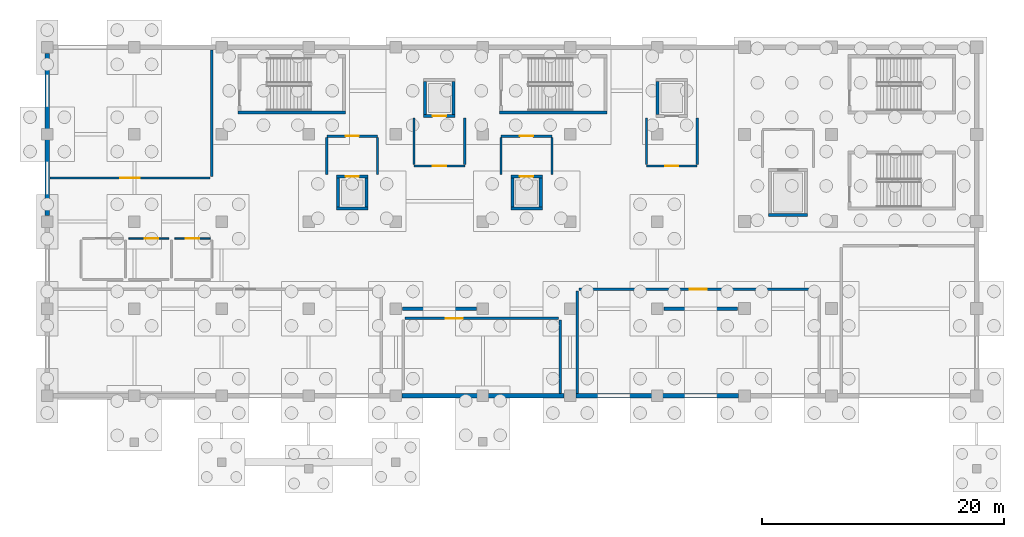
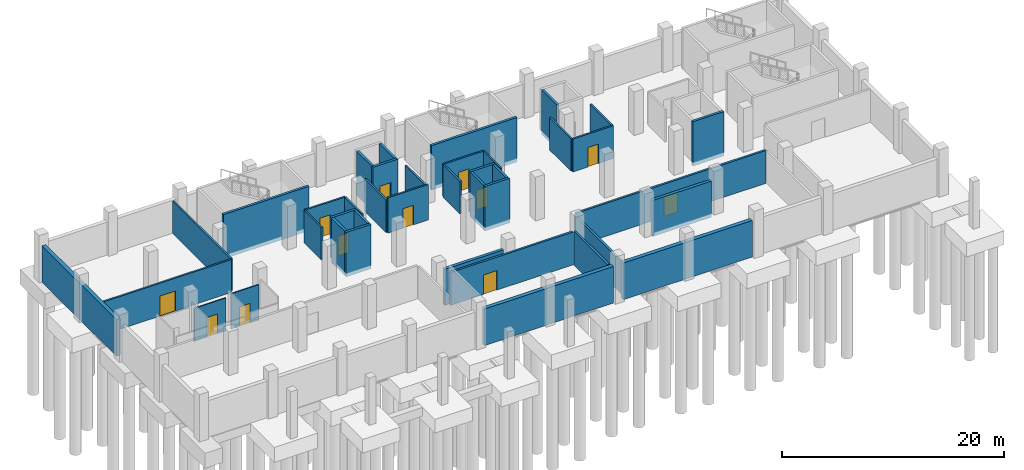
# One storey, part 4 of 10: 40 walls, 12 doors, 12 openings.
"""IFC4 building model written with IfcOpenShell, lengths in metres."""

from ifc_helpers import new_model, si_unit, direction, frame, frame_2d, origin, place, context, subcontext, project, spatial, rectangle, extrude, material, layer, layer_set, type_object, element, fill, save


model = new_model("IFC4")

# Units and contexts
model_context = context("Model", 3, precision=1e-05, world=origin(), true_north=direction((0.0, 1.0)))
body_context = subcontext(model_context, "Body", "Model", "MODEL_VIEW")
ifc_project = project(units=[si_unit("LENGTHUNIT", "METRE"), si_unit("AREAUNIT", "SQUARE_METRE"), si_unit("VOLUMEUNIT", "CUBIC_METRE"), si_unit("PLANEANGLEUNIT", "RADIAN"), si_unit("MASSUNIT", "GRAM", prefix="KILO")], contexts=[model_context])

# Site, building, storey
site_placement = place(None, origin())
site = spatial("IfcSite", under=ifc_project, at=site_placement, CompositionType="ELEMENT")
building_placement = place(site_placement, origin())
building = spatial("IfcBuilding", under=site, at=building_placement, Name="Cendralis Lancet Convention Centre", CompositionType="ELEMENT")
storey_placement = place(building_placement, frame((0.0, 0.0, -4.800048828125)))
storey = spatial("IfcBuildingStorey", under=building, at=storey_placement, Name="B1", CompositionType="ELEMENT", Elevation=-4.800048828125)

# Walls
ifc_material_1 = material(Name="Concrete G40 (C40/50)", Category="concrete")
ifc_layer_1 = layer(ifc_material_1, 0.39990234375, Name="Concrete G40 (C40/50)")
ifc_layer_set_1 = layer_set([ifc_layer_1], Name="Concrete G40 (C40/50)")
wall_type_1 = type_object("IfcWallType", Name="ARC-EW-W400", PredefinedType="STANDARD", material=ifc_layer_set_1)
wall_1_placement = place(storey_placement, frame((174.699951171875, 7.199951171875, -0.39990234375), z_axis=(0.0, 0.0, 1.0), x_axis=(-1.0, 0.0, 0.0)))
element("IfcWall", 1, at=wall_1_placement, inside=storey, type_object=wall_type_1, Name="B1 South Retaining Wall 161", PredefinedType="STANDARD", context=body_context, shape_type="SweptSolid", body=[
    extrude(rectangle(XDim=13.39990234375, YDim=0.39990234375, at=frame_2d((6.699951171875, 0.0))), origin(), (0.0, 0.0, 1.0), 4.02001953125),
])
wall_2_placement = place(storey_placement, frame((189.10009765625, 7.199951171875, -0.39990234375), z_axis=(0.0, 0.0, 1.0), x_axis=(-1.0, 0.0, 0.0)))
element("IfcWall", 2, at=wall_2_placement, inside=storey, type_object=wall_type_1, Name="B1 South Retaining Wall 175", PredefinedType="STANDARD", context=body_context, shape_type="SweptSolid", body=[
    extrude(rectangle(XDim=13.400146484375, YDim=0.39990234375, at=frame_2d((6.7001953125, 0.0))), origin(), (0.0, 0.0, 1.0), 4.02001953125),
])
wall_3_placement = place(storey_placement, frame((132.0, 22.10009765625, -0.39990234375), z_axis=(0.0, 0.0, 1.0), x_axis=(0.0, 1.0, 0.0)))
element("IfcWall", 3, at=wall_3_placement, inside=storey, type_object=wall_type_1, Name="B1 West Retaining Wall 22", PredefinedType="STANDARD", context=body_context, shape_type="SweptSolid", body=[
    extrude(rectangle(XDim=13.39990234375, YDim=0.39990234375, at=frame_2d((6.699951171875, 0.0))), origin(), (0.0, 0.0, 1.0), 4.02001953125),
])

# Wall, opening, door
ifc_material_2 = material(Name="Acoustic fire-rated gypsum board on steel studs", Category="steel")
ifc_layer_2 = layer(ifc_material_2, 0.1201171875, Name="Acoustic fire-rated gypsum board on steel studs")
ifc_layer_set_2 = layer_set([ifc_layer_2], Name="Acoustic fire-rated gypsum board on steel studs")
wall_type_2 = type_object("IfcWallType", Name="ARC-IW-P120", PredefinedType="PARTITIONING", material=ifc_layer_set_2)
wall_4_placement = place(storey_placement, frame((138.75, 20.199951171875, 0.0), z_axis=(0.0, 0.0, 1.0), x_axis=(1.0, 0.0, 0.0)))
wall_4 = element("IfcWall", 4, at=wall_4_placement, inside=storey, type_object=wall_type_2, Name="B1 Interior Partition IW-05 #0340", PredefinedType="PARTITIONING", context=body_context, shape_type="SweptSolid", body=[
    extrude(rectangle(XDim=3.300048828125, YDim=0.1201171875, at=frame_2d((1.64990234375, 0.0))), origin(), (0.0, 0.0, 1.0), 3.614990234375),
])
opening_1_placement = place(wall_4_placement, frame((1.320068359375, 0.0, 0.0)))
opening_1 = element("IfcOpeningElement", 5, at=opening_1_placement, cuts=wall_4, Name="Opening FD-11", PredefinedType="OPENING", context=body_context, shape_type="SweptSolid", body=[
    extrude(rectangle(XDim=1.10009765625, YDim=2.14990234375, at=frame_2d((0.550048828125, 1.074951171875))), frame((0.0, 0.070068359375, 0.0), z_axis=(0.0, -1.0, 0.0), x_axis=(1.0, 0.0, 0.0)), (0.0, 0.0, 1.0), 0.14013671875),
])
ifc_material_3 = material(Name="Steel S355", Category="steel")
door_type_1 = type_object("IfcDoorType", Name="ARC-DR-FF11", OperationType="NOTDEFINED", PredefinedType="DOOR", material=ifc_material_3)
door_1_placement = place(opening_1_placement, origin())
door_1 = element("IfcDoor", 6, at=door_1_placement, inside=storey, type_object=door_type_1, Name="B1-D007 B1 Interior Door FD-11 #0114", OperationType="SINGLE_SWING_RIGHT", OverallHeight=2.14990234375, OverallWidth=1.10009765625, PredefinedType="DOOR", context=body_context, shape_type="SweptSolid", body=[
    extrude(rectangle(XDim=1.10009765625, YDim=2.14990234375, at=frame_2d((0.550048828125, 1.074951171875))), frame((0.0, 0.02490234375, 0.0), z_axis=(0.0, -1.0, 0.0), x_axis=(1.0, 0.0, 0.0)), (0.0, 0.0, 1.0), 0.050048828125),
])
fill(opening_1, door_1)

wall_5_placement = place(storey_placement, frame((142.550048828125, 20.199951171875, 0.0), z_axis=(0.0, 0.0, 1.0), x_axis=(1.0, 0.0, 0.0)))
wall_5 = element("IfcWall", 7, at=wall_5_placement, inside=storey, type_object=wall_type_2, Name="B1 Interior Partition IW-05 #0343", PredefinedType="PARTITIONING", context=body_context, shape_type="SweptSolid", body=[
    extrude(rectangle(XDim=2.89990234375, YDim=0.1201171875, at=frame_2d((1.449951171875, 0.0))), origin(), (0.0, 0.0, 1.0), 3.885009765625),
])
opening_2_placement = place(wall_5_placement, frame((0.89990234375, 0.0, 0.0)))
opening_2 = element("IfcOpeningElement", 8, at=opening_2_placement, cuts=wall_5, Name="Opening FD-11", PredefinedType="OPENING", context=body_context, shape_type="SweptSolid", body=[
    extrude(rectangle(XDim=1.10009765625, YDim=2.14990234375, at=frame_2d((0.550048828125, 1.074951171875))), frame((0.0, 0.070068359375, 0.0), z_axis=(0.0, -1.0, 0.0), x_axis=(1.0, 0.0, 0.0)), (0.0, 0.0, 1.0), 0.14013671875),
])
door_2_placement = place(opening_2_placement, frame((1.10009765625, 0.0, 0.0), z_axis=(0.0, 0.0, 1.0), x_axis=(-1.0, 0.0, 0.0)))
door_2 = element("IfcDoor", 9, at=door_2_placement, inside=storey, type_object=door_type_1, Name="B1-D008 B1 Interior Door FD-11 #0115", OperationType="SINGLE_SWING_LEFT", OverallHeight=2.14990234375, OverallWidth=1.10009765625, PredefinedType="DOOR", context=body_context, shape_type="SweptSolid", body=[
    extrude(rectangle(XDim=1.10009765625, YDim=2.14990234375, at=frame_2d((0.550048828125, 1.074951171875))), frame((0.0, 0.02490234375, 0.0), z_axis=(0.0, -1.0, 0.0), x_axis=(1.0, 0.0, 0.0)), (0.0, 0.0, 1.0), 0.050048828125),
])
fill(opening_2, door_2)

ifc_layer_3 = layer(ifc_material_2, 0.179931640625, Name="Acoustic fire-rated gypsum board on steel studs")
ifc_layer_set_3 = layer_set([ifc_layer_3], Name="Acoustic fire-rated gypsum board on steel studs")
wall_type_3 = type_object("IfcWallType", Name="ARC-IW-P180", PredefinedType="PARTITIONING", material=ifc_layer_set_3)
wall_6_placement = place(storey_placement, frame((166.5, 26.199951171875, 0.0), z_axis=(0.0, 0.0, 1.0), x_axis=(-1.0, 0.0, 0.0)))
wall_6 = element("IfcWall", 10, at=wall_6_placement, inside=storey, type_object=wall_type_3, Name="B1 Firefighting Lift Lobby LF-01 Front Wall", PredefinedType="PARTITIONING", context=body_context, shape_type="SweptSolid", body=[
    extrude(rectangle(XDim=4.199951171875, YDim=0.179931640625, at=frame_2d((2.10009765625, 0.0))), origin(), (0.0, 0.0, 1.0), 3.885009765625),
])
opening_3_placement = place(wall_6_placement, frame((1.550048828125, 0.0, 0.0)))
opening_3 = element("IfcOpeningElement", 11, at=opening_3_placement, cuts=wall_6, Name="Opening FD-11", PredefinedType="OPENING", context=body_context, shape_type="SweptSolid", body=[
    extrude(rectangle(XDim=1.10009765625, YDim=2.14990234375, at=frame_2d((0.550048828125, 1.074951171875))), frame((0.0, 0.099853515625, 0.0), z_axis=(0.0, -1.0, 0.0), x_axis=(1.0, 0.0, 0.0)), (0.0, 0.0, 1.0), 0.199951171875),
])
door_3_placement = place(opening_3_placement, origin())
door_3 = element("IfcDoor", 12, at=door_3_placement, inside=storey, type_object=door_type_1, Name="B1-D014 B1 Lift Lobby LF-01 Fire Door", OperationType="SINGLE_SWING_RIGHT", OverallHeight=2.14990234375, OverallWidth=1.10009765625, PredefinedType="DOOR", context=body_context, shape_type="SweptSolid", body=[
    extrude(rectangle(XDim=1.10009765625, YDim=2.14990234375, at=frame_2d((0.550048828125, 1.074951171875))), frame((0.0, 0.02490234375, 0.0), z_axis=(0.0, -1.0, 0.0), x_axis=(1.0, 0.0, 0.0)), (0.0, 0.0, 1.0), 0.050048828125),
])
fill(opening_3, door_3)

# Walls
for number, where, z_axis, x_axis, name in (
    (13, (162.300048828125, 26.300048828125, 0.0), (0.0, 0.0, 1.0), (0.0, 1.0, 0.0), "B1 Lift Lobby LF-01 West Wall"),
    (14, (166.5, 26.300048828125, 0.0), (0.0, 0.0, 1.0), (0.0, 1.0, 0.0), "B1 Lift Lobby LF-01 East Wall"),
):
    element("IfcWall", number, at=place(storey_placement, frame(where, z_axis=z_axis, x_axis=x_axis)), inside=storey, type_object=wall_type_3, Name=name, PredefinedType="PARTITIONING", context=body_context, shape_type="SweptSolid", body=[
        extrude(rectangle(XDim=3.849853515625, YDim=0.179931640625, at=frame_2d((1.9248046875, 0.0))), origin(), (0.0, 0.0, 1.0), 3.56494140625),
    ])

# Wall, opening, door
wall_7_placement = place(storey_placement, frame((185.699951171875, 26.199951171875, 0.0), z_axis=(0.0, 0.0, 1.0), x_axis=(-1.0, 0.0, 0.0)))
wall_7 = element("IfcWall", 15, at=wall_7_placement, inside=storey, type_object=wall_type_3, Name="B1 Firefighting Lift Lobby LF-02 Front Wall", PredefinedType="PARTITIONING", context=body_context, shape_type="SweptSolid", body=[
    extrude(rectangle(XDim=4.199951171875, YDim=0.179931640625, at=frame_2d((2.10009765625, 0.0))), origin(), (0.0, 0.0, 1.0), 3.614990234375),
])
opening_4_placement = place(wall_7_placement, frame((1.550048828125, 0.0, 0.0)))
opening_4 = element("IfcOpeningElement", 16, at=opening_4_placement, cuts=wall_7, Name="Opening FD-11", PredefinedType="OPENING", context=body_context, shape_type="SweptSolid", body=[
    extrude(rectangle(XDim=1.10009765625, YDim=2.14990234375, at=frame_2d((0.550048828125, 1.074951171875))), frame((0.0, 0.099853515625, 0.0), z_axis=(0.0, -1.0, 0.0), x_axis=(1.0, 0.0, 0.0)), (0.0, 0.0, 1.0), 0.199951171875),
])
door_4_placement = place(opening_4_placement, origin())
door_4 = element("IfcDoor", 17, at=door_4_placement, inside=storey, type_object=door_type_1, Name="B1-D015 B1 Lift Lobby LF-02 Fire Door", OperationType="SINGLE_SWING_LEFT", OverallHeight=2.14990234375, OverallWidth=1.10009765625, PredefinedType="DOOR", context=body_context, shape_type="SweptSolid", body=[
    extrude(rectangle(XDim=1.10009765625, YDim=2.14990234375, at=frame_2d((0.550048828125, 1.074951171875))), frame((0.0, 0.02490234375, 0.0), z_axis=(0.0, -1.0, 0.0), x_axis=(1.0, 0.0, 0.0)), (0.0, 0.0, 1.0), 0.050048828125),
])
fill(opening_4, door_4)

# Walls
for number, where, z_axis, x_axis, name in (
    (18, (181.5, 26.300048828125, 0.0), (0.0, 0.0, 1.0), (0.0, 1.0, 0.0), "B1 Lift Lobby LF-02 West Wall"),
    (19, (185.699951171875, 26.300048828125, 0.0), (0.0, 0.0, 1.0), (0.0, 1.0, 0.0), "B1 Lift Lobby LF-02 East Wall"),
):
    element("IfcWall", number, at=place(storey_placement, frame(where, z_axis=z_axis, x_axis=x_axis)), inside=storey, type_object=wall_type_3, Name=name, PredefinedType="PARTITIONING", context=body_context, shape_type="SweptSolid", body=[
        extrude(rectangle(XDim=3.849853515625, YDim=0.179931640625, at=frame_2d((1.9248046875, 0.0))), origin(), (0.0, 0.0, 1.0), 3.56494140625),
    ])

# Wall, opening, door
wall_8_placement = place(storey_placement, frame((155.10009765625, 28.64990234375, 0.0), z_axis=(0.0, 0.0, 1.0), x_axis=(1.0, 0.0, 0.0)))
wall_8 = element("IfcWall", 20, at=wall_8_placement, inside=storey, type_object=wall_type_3, Name="B1 Lift Lobby LP-01 Front Wall", PredefinedType="PARTITIONING", context=body_context, shape_type="SweptSolid", body=[
    extrude(rectangle(XDim=4.199951171875, YDim=0.179931640625, at=frame_2d((2.10009765625, 0.0))), origin(), (0.0, 0.0, 1.0), 3.56494140625),
])
opening_5_placement = place(wall_8_placement, frame((1.550048828125, 0.0, 0.0)))
opening_5 = element("IfcOpeningElement", 21, at=opening_5_placement, cuts=wall_8, Name="Opening FD-11", PredefinedType="OPENING", context=body_context, shape_type="SweptSolid", body=[
    extrude(rectangle(XDim=1.10009765625, YDim=2.14990234375, at=frame_2d((0.550048828125, 1.074951171875))), frame((0.0, 0.099853515625, 0.0), z_axis=(0.0, -1.0, 0.0), x_axis=(1.0, 0.0, 0.0)), (0.0, 0.0, 1.0), 0.199951171875),
])
door_5_placement = place(opening_5_placement, origin())
door_5 = element("IfcDoor", 22, at=door_5_placement, inside=storey, type_object=door_type_1, Name="B1-D017 B1 Lift Lobby LP-01 Fire Door", OperationType="SINGLE_SWING_RIGHT", OverallHeight=2.14990234375, OverallWidth=1.10009765625, PredefinedType="DOOR", context=body_context, shape_type="SweptSolid", body=[
    extrude(rectangle(XDim=1.10009765625, YDim=2.14990234375, at=frame_2d((0.550048828125, 1.074951171875))), frame((0.0, 0.02490234375, 0.0), z_axis=(0.0, -1.0, 0.0), x_axis=(1.0, 0.0, 0.0)), (0.0, 0.0, 1.0), 0.050048828125),
])
fill(opening_5, door_5)

# Walls
for number, where, z_axis, x_axis, name in (
    (23, (155.10009765625, 25.5, 0.0), (0.0, 0.0, 1.0), (0.0, 1.0, 0.0), "B1 Lift Lobby LP-01 West Wall"),
    (24, (159.300048828125, 25.5, 0.0), (0.0, 0.0, 1.0), (0.0, 1.0, 0.0), "B1 Lift Lobby LP-01 East Wall"),
):
    element("IfcWall", number, at=place(storey_placement, frame(where, z_axis=z_axis, x_axis=x_axis)), inside=storey, type_object=wall_type_3, Name=name, PredefinedType="PARTITIONING", context=body_context, shape_type="SweptSolid", body=[
        extrude(rectangle(XDim=3.050048828125, YDim=0.179931640625, at=frame_2d((1.52490234375, 0.0))), origin(), (0.0, 0.0, 1.0), 3.56494140625),
    ])

# Wall, opening, door
wall_9_placement = place(storey_placement, frame((169.5, 28.64990234375, 0.0), z_axis=(0.0, 0.0, 1.0), x_axis=(1.0, 0.0, 0.0)))
wall_9 = element("IfcWall", 25, at=wall_9_placement, inside=storey, type_object=wall_type_3, Name="B1 Lift Lobby LP-02 Front Wall", PredefinedType="PARTITIONING", context=body_context, shape_type="SweptSolid", body=[
    extrude(rectangle(XDim=4.199951171875, YDim=0.179931640625, at=frame_2d((2.10009765625, 0.0))), origin(), (0.0, 0.0, 1.0), 3.56494140625),
])
opening_6_placement = place(wall_9_placement, frame((1.550048828125, 0.0, 0.0)))
opening_6 = element("IfcOpeningElement", 26, at=opening_6_placement, cuts=wall_9, Name="Opening FD-11", PredefinedType="OPENING", context=body_context, shape_type="SweptSolid", body=[
    extrude(rectangle(XDim=1.10009765625, YDim=2.14990234375, at=frame_2d((0.550048828125, 1.074951171875))), frame((0.0, 0.099853515625, 0.0), z_axis=(0.0, -1.0, 0.0), x_axis=(1.0, 0.0, 0.0)), (0.0, 0.0, 1.0), 0.199951171875),
])
door_6_placement = place(opening_6_placement, origin())
door_6 = element("IfcDoor", 27, at=door_6_placement, inside=storey, type_object=door_type_1, Name="B1-D018 B1 Lift Lobby LP-02 Fire Door", OperationType="SINGLE_SWING_LEFT", OverallHeight=2.14990234375, OverallWidth=1.10009765625, PredefinedType="DOOR", context=body_context, shape_type="SweptSolid", body=[
    extrude(rectangle(XDim=1.10009765625, YDim=2.14990234375, at=frame_2d((0.550048828125, 1.074951171875))), frame((0.0, 0.02490234375, 0.0), z_axis=(0.0, -1.0, 0.0), x_axis=(1.0, 0.0, 0.0)), (0.0, 0.0, 1.0), 0.050048828125),
])
fill(opening_6, door_6)

# Walls
for number, where, z_axis, x_axis, name in (
    (28, (169.5, 25.5, 0.0), (0.0, 0.0, 1.0), (0.0, 1.0, 0.0), "B1 Lift Lobby LP-02 West Wall"),
    (29, (173.699951171875, 25.5, 0.0), (0.0, 0.0, 1.0), (0.0, 1.0, 0.0), "B1 Lift Lobby LP-02 East Wall"),
):
    element("IfcWall", number, at=place(storey_placement, frame(where, z_axis=z_axis, x_axis=x_axis)), inside=storey, type_object=wall_type_3, Name=name, PredefinedType="PARTITIONING", context=body_context, shape_type="SweptSolid", body=[
        extrude(rectangle(XDim=3.050048828125, YDim=0.179931640625, at=frame_2d((1.52490234375, 0.0))), origin(), (0.0, 0.0, 1.0), 3.56494140625),
    ])

# Wall, opening, door
wall_10_placement = place(storey_placement, frame((132.2099609375, 25.199951171875, 0.0), z_axis=(0.0, 0.0, 1.0), x_axis=(1.0, 0.0, 0.0)))
wall_10 = element("IfcWall", 30, at=wall_10_placement, inside=storey, type_object=wall_type_3, Name="B1 Interior Partition IW-02 #0332", PredefinedType="PARTITIONING", context=body_context, shape_type="SweptSolid", body=[
    extrude(rectangle(XDim=13.25, YDim=0.179931640625, at=frame_2d((6.625, 0.0))), origin(), (0.0, 0.0, 1.0), 3.614990234375),
])
opening_7_placement = place(wall_10_placement, frame((5.824951171875, 0.0, 0.0)))
opening_7 = element("IfcOpeningElement", 31, at=opening_7_placement, cuts=wall_10, Name="Opening ID-16", PredefinedType="OPENING", context=body_context, shape_type="SweptSolid", body=[
    extrude(rectangle(XDim=1.60009765625, YDim=2.199951171875, at=frame_2d((0.800048828125, 1.10009765625))), frame((0.0, 0.099853515625, 0.0), z_axis=(0.0, -1.0, 0.0), x_axis=(1.0, 0.0, 0.0)), (0.0, 0.0, 1.0), 0.199951171875),
])
ifc_material_4 = material(Name="Acoustic Chilean lenga timber and steel fire leaf", Category="steel")
door_type_2 = type_object("IfcDoorType", Name="ARC-DR-DB16", OperationType="NOTDEFINED", PredefinedType="DOOR", material=ifc_material_4)
door_7_placement = place(opening_7_placement, frame((1.60009765625, 0.0, 0.0), z_axis=(0.0, 0.0, 1.0), x_axis=(-1.0, 0.0, 0.0)))
door_7 = element("IfcDoor", 32, at=door_7_placement, inside=storey, type_object=door_type_2, Name="B1-D004 B1 Interior Door ID-16 #0111", OperationType="DOUBLE_DOOR_SINGLE_SWING", OverallHeight=2.199951171875, OverallWidth=1.60009765625, PredefinedType="DOOR", context=body_context, shape_type="SweptSolid", body=[
    extrude(rectangle(XDim=1.60009765625, YDim=2.199951171875, at=frame_2d((0.800048828125, 1.10009765625))), frame((0.0, 0.02490234375, 0.0), z_axis=(0.0, -1.0, 0.0), x_axis=(1.0, 0.0, 0.0)), (0.0, 0.0, 1.0), 0.050048828125),
])
fill(opening_7, door_7)

# Wall
wall_11_placement = place(storey_placement, frame((145.60009765625, 25.340087890625, 0.0), z_axis=(0.0, 0.0, 1.0), x_axis=(0.0, 1.0, 0.0)))
element("IfcWall", 33, at=wall_11_placement, inside=storey, type_object=wall_type_3, Name="B1 Interior Partition IW-02 #0333", PredefinedType="PARTITIONING", context=body_context, shape_type="SweptSolid", body=[
    extrude(rectangle(XDim=10.449951171875, YDim=0.179931640625, at=frame_2d((5.22509765625, 0.0))), origin(), (0.0, 0.0, 1.0), 3.56494140625),
])

# Wall, opening, door
ifc_layer_4 = layer(ifc_material_2, 0.2099609375, Name="Acoustic fire-rated gypsum board on steel studs")
ifc_layer_set_4 = layer_set([ifc_layer_4], Name="Acoustic fire-rated gypsum board on steel studs")
wall_type_4 = type_object("IfcWallType", Name="ARC-IW-P210", PredefinedType="PARTITIONING", material=ifc_layer_set_4)
wall_12_placement = place(storey_placement, frame((161.5400390625, 13.60009765625, 0.0), z_axis=(0.0, 0.0, 1.0), x_axis=(1.0, 0.0, 0.0)))
wall_12 = element("IfcWall", 34, at=wall_12_placement, inside=storey, type_object=wall_type_4, Name="B1 Interior Partition IW-01 #0326", PredefinedType="PARTITIONING", context=body_context, shape_type="SweptSolid", body=[
    extrude(rectangle(XDim=12.719970703125, YDim=0.2099609375, at=frame_2d((6.35986328125, 0.0))), origin(), (0.0, 0.0, 1.0), 3.614990234375),
])
opening_8_placement = place(wall_12_placement, frame((3.39599609375, 0.0, 0.0)))
opening_8 = element("IfcOpeningElement", 35, at=opening_8_placement, cuts=wall_12, Name="Opening ID-14", PredefinedType="OPENING", context=body_context, shape_type="SweptSolid", body=[
    extrude(rectangle(XDim=1.39990234375, YDim=2.14990234375, at=frame_2d((0.699951171875, 1.074951171875))), frame((0.0, 0.114990234375, 0.0), z_axis=(0.0, -1.0, 0.0), x_axis=(1.0, 0.0, 0.0)), (0.0, 0.0, 1.0), 0.22998046875),
])
door_type_3 = type_object("IfcDoorType", Name="ARC-DR-DB14", OperationType="NOTDEFINED", PredefinedType="DOOR", material=ifc_material_4)
door_8_placement = place(opening_8_placement, frame((1.39990234375, 0.0, 0.0), z_axis=(0.0, 0.0, 1.0), x_axis=(-1.0, 0.0, 0.0)))
door_8 = element("IfcDoor", 36, at=door_8_placement, inside=storey, type_object=door_type_3, Name="B1-D002 B1 Interior Door ID-14 #0109", OperationType="DOUBLE_DOOR_SINGLE_SWING", OverallHeight=2.14990234375, OverallWidth=1.39990234375, PredefinedType="DOOR", context=body_context, shape_type="SweptSolid", body=[
    extrude(rectangle(XDim=1.39990234375, YDim=2.14990234375, at=frame_2d((0.699951171875, 1.074951171875))), frame((0.0, 0.02490234375, 0.0), z_axis=(0.0, -1.0, 0.0), x_axis=(1.0, 0.0, 0.0)), (0.0, 0.0, 1.0), 0.050048828125),
])
fill(opening_8, door_8)

# Wall
wall_13_placement = place(storey_placement, frame((174.39990234375, 7.409912109375, 0.0), z_axis=(0.0, 0.0, 1.0), x_axis=(0.0, 1.0, 0.0)))
element("IfcWall", 37, at=wall_13_placement, inside=storey, type_object=wall_type_4, Name="B1 Interior Partition IW-01 #0328", PredefinedType="PARTITIONING", context=body_context, shape_type="SweptSolid", body=[
    extrude(rectangle(XDim=6.050048828125, YDim=0.2099609375, at=frame_2d((3.02490234375, 0.0))), origin(), (0.0, 0.0, 1.0), 3.715087890625),
])

# Wall, opening, door
wall_14_placement = place(storey_placement, frame((175.93994140625, 16.0, 0.0), z_axis=(0.0, 0.0, 1.0), x_axis=(1.0, 0.0, 0.0)))
wall_14 = element("IfcWall", 38, at=wall_14_placement, inside=storey, type_object=wall_type_4, Name="B1 Interior Partition IW-01 #0329", PredefinedType="PARTITIONING", context=body_context, shape_type="SweptSolid", body=[
    extrude(rectangle(XDim=19.719970703125, YDim=0.2099609375, at=frame_2d((9.85986328125, 0.0))), origin(), (0.0, 0.0, 1.0), 3.614990234375),
])
opening_9_placement = place(wall_14_placement, frame((9.159912109375, 0.0, 0.0)))
opening_9 = element("IfcOpeningElement", 39, at=opening_9_placement, cuts=wall_14, Name="Opening ID-14", PredefinedType="OPENING", context=body_context, shape_type="SweptSolid", body=[
    extrude(rectangle(XDim=1.39990234375, YDim=2.14990234375, at=frame_2d((0.699951171875, 1.074951171875))), frame((0.0, 0.114990234375, 0.0), z_axis=(0.0, -1.0, 0.0), x_axis=(1.0, 0.0, 0.0)), (0.0, 0.0, 1.0), 0.22998046875),
])
door_9_placement = place(opening_9_placement, origin())
door_9 = element("IfcDoor", 40, at=door_9_placement, inside=storey, type_object=door_type_3, Name="B1-D003 B1 Interior Door ID-14 #0110", OperationType="DOUBLE_DOOR_SINGLE_SWING", OverallHeight=2.14990234375, OverallWidth=1.39990234375, PredefinedType="DOOR", context=body_context, shape_type="SweptSolid", body=[
    extrude(rectangle(XDim=1.39990234375, YDim=2.14990234375, at=frame_2d((0.699951171875, 1.074951171875))), frame((0.0, 0.02490234375, 0.0), z_axis=(0.0, -1.0, 0.0), x_axis=(1.0, 0.0, 0.0)), (0.0, 0.0, 1.0), 0.050048828125),
])
fill(opening_9, door_9)

# Walls
wall_15_placement = place(storey_placement, frame((175.800048828125, 7.409912109375, 0.0), z_axis=(0.0, 0.0, 1.0), x_axis=(0.0, 1.0, 0.0)))
element("IfcWall", 41, at=wall_15_placement, inside=storey, type_object=wall_type_4, Name="B1 Interior Partition IW-01 #0330", PredefinedType="PARTITIONING", context=body_context, shape_type="SweptSolid", body=[
    extrude(rectangle(XDim=8.4501953125, YDim=0.2099609375, at=frame_2d((4.22509765625, 0.0))), origin(), (0.0, 0.0, 1.0), 3.56494140625),
])
ifc_layer_5 = layer(ifc_material_1, 0.25, Name="Concrete G40 (C40/50)")
ifc_layer_set_5 = layer_set([ifc_layer_5], Name="Concrete G40 (C40/50)")
wall_type_5 = type_object("IfcWallType", Name="STR-SW-CW250", PredefinedType="SHEAR", material=ifc_layer_set_5)
for number, where, z_axis, x_axis, name in (
    (42, (147.75, 30.625, -0.39990234375), (0.0, 0.0, 1.0), (1.0, 0.0, 0.0), "B1 Stair Core ST-13 South Shear Wall"),
    (43, (169.35009765625, 30.625, -0.39990234375), (0.0, 0.0, 1.0), (1.0, 0.0, 0.0), "B1 Stair Core ST-14 South Shear Wall"),
):
    element("IfcWall", number, at=place(storey_placement, frame(where, z_axis=z_axis, x_axis=x_axis)), inside=storey, type_object=wall_type_5, Name=name, PredefinedType="SHEAR", context=body_context, shape_type="SweptSolid", body=[
        extrude(rectangle(XDim=8.89990234375, YDim=0.25, at=frame_2d((4.449951171875, 0.0))), origin(), (0.0, 0.0, 1.0), 4.8798828125),
    ])

# Wall, opening, door
wall_16_placement = place(storey_placement, frame((163.10009765625, 30.324951171875, 0.0), z_axis=(0.0, 0.0, 1.0), x_axis=(1.0, 0.0, 0.0)))
wall_16 = element("IfcWall", 44, at=wall_16_placement, inside=storey, type_object=wall_type_5, Name="B1 Lift LF-01 South Shaft Wall", PredefinedType="SHEAR", context=body_context, shape_type="SweptSolid", body=[
    extrude(rectangle(XDim=2.599853515625, YDim=0.25, at=frame_2d((1.2998046875, 0.0))), origin(), (0.0, 0.0, 1.0), 4.47998046875),
])
opening_10_placement = place(wall_16_placement, frame((0.75, 0.0, 0.0)))
opening_10 = element("IfcOpeningElement", 45, at=opening_10_placement, cuts=wall_16, Name="Opening LD-11", PredefinedType="OPENING", context=body_context, shape_type="SweptSolid", body=[
    extrude(rectangle(XDim=1.10009765625, YDim=2.14990234375, at=frame_2d((0.550048828125, 1.074951171875))), frame((0.0, 0.135009765625, 0.0), z_axis=(0.0, -1.0, 0.0), x_axis=(1.0, 0.0, 0.0)), (0.0, 0.0, 1.0), 0.27001953125),
])
ifc_material_5 = material(Name="Anodised bronze architectural aluminium", Category="aluminium")
door_type_4 = type_object("IfcDoorType", Name="ARC-DR-LD11", OperationType="NOTDEFINED", PredefinedType="DOOR", material=ifc_material_5)
door_10_placement = place(opening_10_placement, origin())
door_10 = element("IfcDoor", 46, at=door_10_placement, inside=storey, type_object=door_type_4, Name="B1-D009 B1 Lift LF-01 Sliding Landing Door", OperationType="SLIDING_TO_RIGHT", OverallHeight=2.14990234375, OverallWidth=1.10009765625, PredefinedType="DOOR", context=body_context, shape_type="SweptSolid", body=[
    extrude(rectangle(XDim=1.10009765625, YDim=2.14990234375, at=frame_2d((0.550048828125, 1.074951171875))), frame((0.0, 0.02490234375, 0.0), z_axis=(0.0, -1.0, 0.0), x_axis=(1.0, 0.0, 0.0)), (0.0, 0.0, 1.0), 0.050048828125),
])
fill(opening_10, door_10)

# Walls
for number, where, z_axis, x_axis, name in (
    (47, (163.22509765625, 30.449951171875, -0.39990234375), (0.0, 0.0, 1.0), (0.0, 1.0, 0.0), "B1 Lift LF-01 West Shaft Wall"),
    (48, (165.574951171875, 30.449951171875, -0.39990234375), (0.0, 0.0, 1.0), (0.0, 1.0, 0.0), "B1 Lift LF-01 East Shaft Wall"),
    (49, (182.425048828125, 30.449951171875, -0.39990234375), (0.0, 0.0, 1.0), (0.0, 1.0, 0.0), "B1 Lift LF-02 West Shaft Wall"),
):
    element("IfcWall", number, at=place(storey_placement, frame(where, z_axis=z_axis, x_axis=x_axis)), inside=storey, type_object=wall_type_5, Name=name, PredefinedType="SHEAR", context=body_context, shape_type="SweptSolid", body=[
        extrude(rectangle(XDim=2.699951171875, YDim=0.25, at=frame_2d((1.35009765625, 0.0))), origin(), (0.0, 0.0, 1.0), 4.8798828125),
    ])
wall_17_placement = place(storey_placement, frame((155.89990234375, 22.675048828125, -0.39990234375), z_axis=(0.0, 0.0, 1.0), x_axis=(1.0, 0.0, 0.0)))
element("IfcWall", 50, at=wall_17_placement, inside=storey, type_object=wall_type_5, Name="B1 Lift LP-01 South Shaft Wall", PredefinedType="SHEAR", context=body_context, shape_type="SweptSolid", body=[
    extrude(rectangle(XDim=2.60009765625, YDim=0.25, at=frame_2d((1.300048828125, 0.0))), origin(), (0.0, 0.0, 1.0), 4.8798828125),
])

# Wall, opening, door
wall_18_placement = place(storey_placement, frame((155.89990234375, 25.324951171875, 0.0), z_axis=(0.0, 0.0, 1.0), x_axis=(1.0, 0.0, 0.0)))
wall_18 = element("IfcWall", 51, at=wall_18_placement, inside=storey, type_object=wall_type_5, Name="B1 Lift LP-01 North Shaft Wall", PredefinedType="SHEAR", context=body_context, shape_type="SweptSolid", body=[
    extrude(rectangle(XDim=2.60009765625, YDim=0.25, at=frame_2d((1.300048828125, 0.0))), origin(), (0.0, 0.0, 1.0), 4.47998046875),
])
opening_11_placement = place(wall_18_placement, frame((0.75, 0.0, 0.0)))
opening_11 = element("IfcOpeningElement", 52, at=opening_11_placement, cuts=wall_18, Name="Opening LD-11", PredefinedType="OPENING", context=body_context, shape_type="SweptSolid", body=[
    extrude(rectangle(XDim=1.10009765625, YDim=2.14990234375, at=frame_2d((0.550048828125, 1.074951171875))), frame((0.0, 0.135009765625, 0.0), z_axis=(0.0, -1.0, 0.0), x_axis=(1.0, 0.0, 0.0)), (0.0, 0.0, 1.0), 0.27001953125),
])
door_11_placement = place(opening_11_placement, origin())
door_11 = element("IfcDoor", 53, at=door_11_placement, inside=storey, type_object=door_type_4, Name="B1-D012 B1 Lift LP-01 Sliding Landing Door", OperationType="SLIDING_TO_RIGHT", OverallHeight=2.14990234375, OverallWidth=1.10009765625, PredefinedType="DOOR", context=body_context, shape_type="SweptSolid", body=[
    extrude(rectangle(XDim=1.10009765625, YDim=2.14990234375, at=frame_2d((0.550048828125, 1.074951171875))), frame((0.0, 0.02490234375, 0.0), z_axis=(0.0, -1.0, 0.0), x_axis=(1.0, 0.0, 0.0)), (0.0, 0.0, 1.0), 0.050048828125),
])
fill(opening_11, door_11)

# Walls
for number, where, z_axis, x_axis, name in (
    (54, (156.02490234375, 22.800048828125, -0.39990234375), (0.0, 0.0, 1.0), (0.0, 1.0, 0.0), "B1 Lift LP-01 West Shaft Wall"),
    (55, (158.375, 22.800048828125, -0.39990234375), (0.0, 0.0, 1.0), (0.0, 1.0, 0.0), "B1 Lift LP-01 East Shaft Wall"),
):
    element("IfcWall", number, at=place(storey_placement, frame(where, z_axis=z_axis, x_axis=x_axis)), inside=storey, type_object=wall_type_5, Name=name, PredefinedType="SHEAR", context=body_context, shape_type="SweptSolid", body=[
        extrude(rectangle(XDim=2.39990234375, YDim=0.25, at=frame_2d((1.199951171875, 0.0))), origin(), (0.0, 0.0, 1.0), 4.8798828125),
    ])
wall_19_placement = place(storey_placement, frame((170.300048828125, 22.675048828125, -0.39990234375), z_axis=(0.0, 0.0, 1.0), x_axis=(1.0, 0.0, 0.0)))
element("IfcWall", 56, at=wall_19_placement, inside=storey, type_object=wall_type_5, Name="B1 Lift LP-02 South Shaft Wall", PredefinedType="SHEAR", context=body_context, shape_type="SweptSolid", body=[
    extrude(rectangle(XDim=2.599853515625, YDim=0.25, at=frame_2d((1.2998046875, 0.0))), origin(), (0.0, 0.0, 1.0), 4.8798828125),
])

# Wall, opening, door
wall_20_placement = place(storey_placement, frame((170.300048828125, 25.324951171875, 0.0), z_axis=(0.0, 0.0, 1.0), x_axis=(1.0, 0.0, 0.0)))
wall_20 = element("IfcWall", 57, at=wall_20_placement, inside=storey, type_object=wall_type_5, Name="B1 Lift LP-02 North Shaft Wall", PredefinedType="SHEAR", context=body_context, shape_type="SweptSolid", body=[
    extrude(rectangle(XDim=2.599853515625, YDim=0.25, at=frame_2d((1.2998046875, 0.0))), origin(), (0.0, 0.0, 1.0), 4.47998046875),
])
opening_12_placement = place(wall_20_placement, frame((0.75, 0.0, 0.0)))
opening_12 = element("IfcOpeningElement", 58, at=opening_12_placement, cuts=wall_20, Name="Opening LD-11", PredefinedType="OPENING", context=body_context, shape_type="SweptSolid", body=[
    extrude(rectangle(XDim=1.10009765625, YDim=2.14990234375, at=frame_2d((0.550048828125, 1.074951171875))), frame((0.0, 0.135009765625, 0.0), z_axis=(0.0, -1.0, 0.0), x_axis=(1.0, 0.0, 0.0)), (0.0, 0.0, 1.0), 0.27001953125),
])
door_12_placement = place(opening_12_placement, origin())
door_12 = element("IfcDoor", 59, at=door_12_placement, inside=storey, type_object=door_type_4, Name="B1-D013 B1 Lift LP-02 Sliding Landing Door", OperationType="SLIDING_TO_LEFT", OverallHeight=2.14990234375, OverallWidth=1.10009765625, PredefinedType="DOOR", context=body_context, shape_type="SweptSolid", body=[
    extrude(rectangle(XDim=1.10009765625, YDim=2.14990234375, at=frame_2d((0.550048828125, 1.074951171875))), frame((0.0, 0.02490234375, 0.0), z_axis=(0.0, -1.0, 0.0), x_axis=(1.0, 0.0, 0.0)), (0.0, 0.0, 1.0), 0.050048828125),
])
fill(opening_12, door_12)

# Walls
for number, where, z_axis, x_axis, name in (
    (60, (170.425048828125, 22.800048828125, -0.39990234375), (0.0, 0.0, 1.0), (0.0, 1.0, 0.0), "B1 Lift LP-02 West Shaft Wall"),
    (61, (172.77490234375, 22.800048828125, -0.39990234375), (0.0, 0.0, 1.0), (0.0, 1.0, 0.0), "B1 Lift LP-02 East Shaft Wall"),
):
    element("IfcWall", number, at=place(storey_placement, frame(where, z_axis=z_axis, x_axis=x_axis)), inside=storey, type_object=wall_type_5, Name=name, PredefinedType="SHEAR", context=body_context, shape_type="SweptSolid", body=[
        extrude(rectangle(XDim=2.39990234375, YDim=0.25, at=frame_2d((1.199951171875, 0.0))), origin(), (0.0, 0.0, 1.0), 4.8798828125),
    ])
wall_21_placement = place(storey_placement, frame((191.60009765625, 22.125, -0.39990234375), z_axis=(0.0, 0.0, 1.0), x_axis=(1.0, 0.0, 0.0)))
element("IfcWall", 62, at=wall_21_placement, inside=storey, type_object=wall_type_5, Name="B1 Lift LG-04 South Shaft Wall", PredefinedType="SHEAR", context=body_context, shape_type="SweptSolid", body=[
    extrude(rectangle(XDim=3.199951171875, YDim=0.25, at=frame_2d((1.60009765625, 0.0))), origin(), (0.0, 0.0, 1.0), 4.8798828125),
])
ifc_layer_6 = layer(ifc_material_1, 0.300048828125, Name="Concrete G40 (C40/50)")
ifc_layer_set_6 = layer_set([ifc_layer_6], Name="Concrete G40 (C40/50)")
wall_type_6 = type_object("IfcWallType", Name="STR-SW-CW300", PredefinedType="SHEAR", material=ifc_layer_set_6)
wall_22_placement = place(storey_placement, frame((161.35009765625, 14.39990234375, -0.39990234375), z_axis=(0.0, 0.0, 1.0), x_axis=(1.0, 0.0, 0.0)))
element("IfcWall", 63, at=wall_22_placement, inside=storey, type_object=wall_type_6, Name="B1 Seismic Shear Wall SW-02 161", PredefinedType="SHEAR", context=body_context, shape_type="SweptSolid", body=[
    extrude(rectangle(XDim=6.099853515625, YDim=0.300048828125, at=frame_2d((3.0498046875, 0.0))), origin(), (0.0, 0.0, 1.0), 3.96484375),
])
wall_23_placement = place(storey_placement, frame((182.949951171875, 14.39990234375, -0.39990234375), z_axis=(0.0, 0.0, 1.0), x_axis=(1.0, 0.0, 0.0)))
element("IfcWall", 64, at=wall_23_placement, inside=storey, type_object=wall_type_6, Name="B1 Seismic Shear Wall SW-02 183", PredefinedType="SHEAR", context=body_context, shape_type="SweptSolid", body=[
    extrude(rectangle(XDim=6.10009765625, YDim=0.300048828125, at=frame_2d((3.050048828125, 0.0))), origin(), (0.0, 0.0, 1.0), 3.96484375),
])

save(model, "model.ifc")
